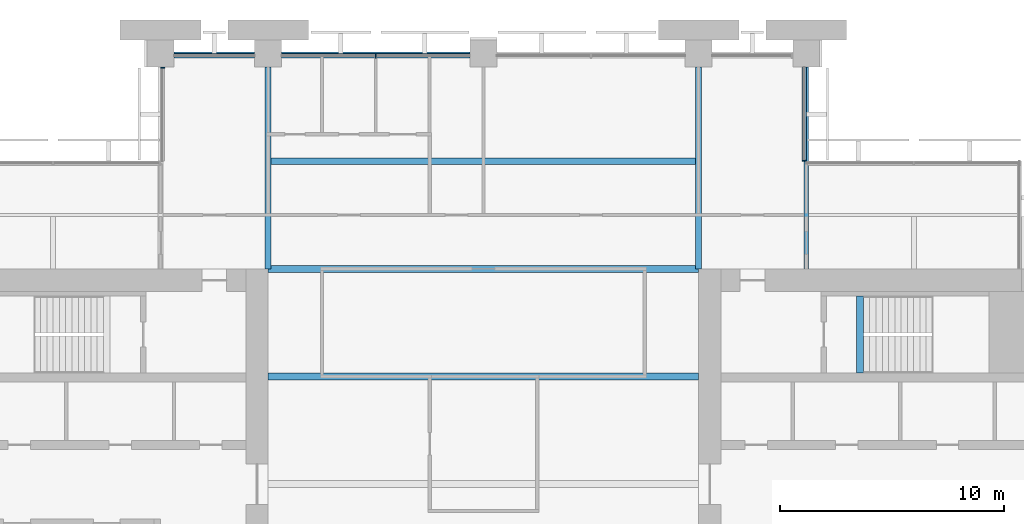
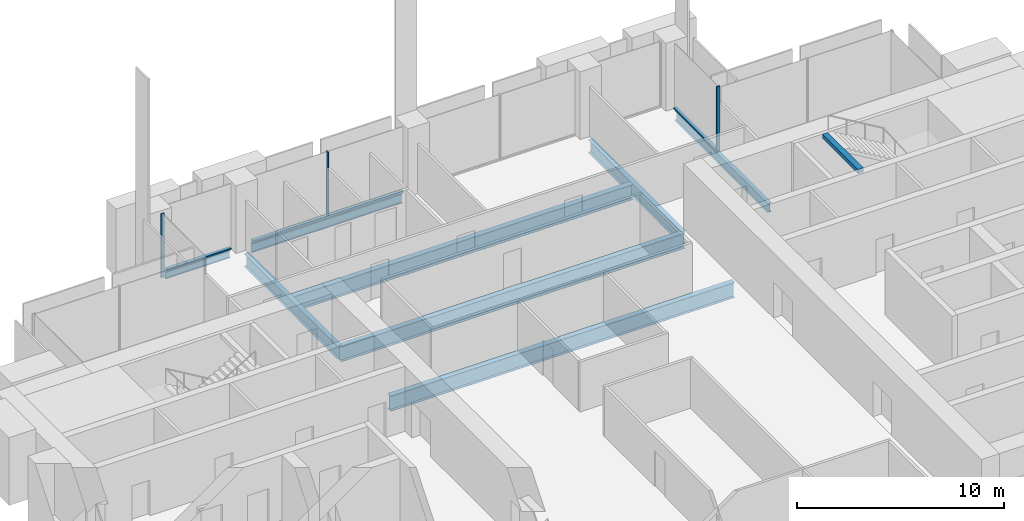
# One storey, part 6 of 14: 9 beams, 6 members, 3 elements without a shape of their own.
"""IFC4 building model written with IfcOpenShell, lengths in metres."""

from ifc_helpers import new_model, si_unit, direction, frame, origin, origin_2d, place, context, subcontext, project, spatial, rectangle, i_section, extrude, material, material_profile, profile_set, type_object, element, aggregate, save


model = new_model("IFC4")

# Units and contexts
model_context = context("Model", 3, precision=1e-05, world=origin(), true_north=direction((0.0, 1.0)))
body_context = subcontext(model_context, "Body", "Model", "MODEL_VIEW")
ifc_project = project(units=[si_unit("LENGTHUNIT", "METRE"), si_unit("AREAUNIT", "SQUARE_METRE"), si_unit("VOLUMEUNIT", "CUBIC_METRE"), si_unit("PLANEANGLEUNIT", "RADIAN"), si_unit("MASSUNIT", "GRAM", prefix="KILO")], contexts=[model_context])

# Site, building, storey
site_placement = place(None, origin())
site = spatial("IfcSite", under=ifc_project, at=site_placement, CompositionType="ELEMENT")
building_placement = place(site_placement, origin())
building = spatial("IfcBuilding", under=site, at=building_placement, Name="Baori Bourse Tower", CompositionType="ELEMENT")
storey_placement = place(building_placement, frame((0.0, 0.0, 132.10009765625)))
storey = spatial("IfcBuildingStorey", under=building, at=storey_placement, Name="L28", CompositionType="ELEMENT", Elevation=132.10009765625)

# Curtain wall, members
ifc_material_1 = material(Name="Pale anodised aluminium", Category="aluminium")
curtain_wall_type_1 = type_object("IfcCurtainWallType", Name="CW1 Curtain wall", PredefinedType="NOTDEFINED", material=ifc_material_1)
curtain_wall_1_placement = place(storey_placement, origin())
curtain_wall_1 = element("IfcCurtainWall", 1, at=curtain_wall_1_placement, inside=storey, type_object=curtain_wall_type_1, Name="Curtain wall CW1 L28 4", PredefinedType="NOTDEFINED")
ifc_material_2 = material(Name="Pale anodised aluminium", Category="aluminium")
ifc_material_profile_1 = material_profile(ifc_material_2, rectangle(XDim=0.199951171875, YDim=0.06005859375, at=origin_2d()), Name="Mullion 60x200")
ifc_profile_set_1 = profile_set([ifc_material_profile_1], Name="Pale anodised aluminium")
member_type_1 = type_object("IfcMemberType", Name="CW1 Curtain wall mullion", PredefinedType="MULLION", material=ifc_profile_set_1)
member_1_placement = place(storey_placement, frame((24.0, 47.89990234375, 0.079833984375), z_axis=(0.0, 0.0, 1.0), x_axis=(0.0, -1.0, 0.0)))
member_1 = element("IfcMember", 2, at=member_1_placement, type_object=member_type_1, Name="Curtain wall CW1 mullion", PredefinedType="MULLION", context=body_context, shape_type="SweptSolid", body=[
    extrude(rectangle(XDim=0.199951171875, YDim=0.06005859375, at=origin_2d()), origin(), (0.0, 0.0, 1.0), 3.760009765625),
])
ifc_material_3 = material(Name="Pale anodised aluminium", Category="aluminium")
ifc_material_profile_2 = material_profile(ifc_material_3, rectangle(XDim=0.199951171875, YDim=0.080078125, at=origin_2d()), Name="Transom 80x200")
ifc_profile_set_2 = profile_set([ifc_material_profile_2], Name="Pale anodised aluminium")
member_type_2 = type_object("IfcMemberType", Name="CW1 Curtain wall transom", PredefinedType="USERDEFINED", material=ifc_profile_set_2)
member_2_placement = place(storey_placement, frame((28.199951171875, 47.89990234375, 0.039794921875), z_axis=(-1.0, 0.0, 0.0), x_axis=(0.0, -1.0, 0.0)))
member_2 = element("IfcMember", 3, at=member_2_placement, type_object=member_type_2, Name="Curtain wall CW1 sill rail", ObjectType="TRANSOM", PredefinedType="USERDEFINED", context=body_context, shape_type="SweptSolid", body=[
    extrude(rectangle(XDim=0.199951171875, YDim=0.080078125, at=origin_2d()), origin(), (0.0, 0.0, 1.0), 8.39990234375),
])
member_3_placement = place(storey_placement, frame((18.60009765625, 47.89990234375, 0.039794921875), z_axis=(-1.0, 0.0, 0.0), x_axis=(0.0, -1.0, 0.0)))
member_3 = element("IfcMember", 4, at=member_3_placement, type_object=member_type_2, Name="Curtain wall CW1 sill rail", ObjectType="TRANSOM", PredefinedType="USERDEFINED", context=body_context, shape_type="SweptSolid", body=[
    extrude(rectangle(XDim=0.199951171875, YDim=0.080078125, at=origin_2d()), origin(), (0.0, 0.0, 1.0), 3.60009765625),
])
aggregate(curtain_wall_1, [member_2, member_1, member_3])

# Curtain wall, member
ifc_material_4 = material(Name="Pale anodised aluminium", Category="aluminium")
curtain_wall_type_2 = type_object("IfcCurtainWallType", Name="CW2 Curtain wall", PredefinedType="NOTDEFINED", material=ifc_material_4)
curtain_wall_2_placement = place(storey_placement, origin())
curtain_wall_2 = element("IfcCurtainWall", 5, at=curtain_wall_2_placement, inside=storey, type_object=curtain_wall_type_2, Name="Curtain wall CW2 L28 3", PredefinedType="NOTDEFINED")
ifc_material_5 = material(Name="Pale anodised aluminium", Category="aluminium")
ifc_material_profile_3 = material_profile(ifc_material_5, rectangle(XDim=0.179931640625, YDim=0.054931640625, at=origin_2d()), Name="Mullion 55x180")
ifc_profile_set_3 = profile_set([ifc_material_profile_3], Name="Pale anodised aluminium")
member_type_3 = type_object("IfcMemberType", Name="CW2 Curtain wall mullion", PredefinedType="MULLION", material=ifc_profile_set_3)
member_4_placement = place(storey_placement, frame((43.110107421875, 43.2275390625, 0.06982421875), z_axis=(0.0, 0.0, 1.0), x_axis=(-1.0, 0.0, 0.0)))
member_4 = element("IfcMember", 6, at=member_4_placement, type_object=member_type_3, Name="Curtain wall CW2 mullion", PredefinedType="MULLION", context=body_context, shape_type="SweptSolid", body=[
    extrude(rectangle(XDim=0.179931640625, YDim=0.054931640625, at=origin_2d()), origin(), (0.0, 0.0, 1.0), 3.77001953125),
])

curtain_wall_3_placement = place(storey_placement, origin())
curtain_wall_3 = element("IfcCurtainWall", 7, at=curtain_wall_3_placement, inside=storey, type_object=curtain_wall_type_2, Name="Curtain wall CW2 L28 5", PredefinedType="NOTDEFINED")
member_5_placement = place(storey_placement, frame((14.489990234375, 47.37255859375, 0.06982421875), z_axis=(0.0, 0.0, 1.0), x_axis=(1.0, 0.0, 0.0)))
member_5 = element("IfcMember", 8, at=member_5_placement, type_object=member_type_3, Name="Curtain wall CW2 mullion", PredefinedType="MULLION", context=body_context, shape_type="SweptSolid", body=[
    extrude(rectangle(XDim=0.179931640625, YDim=0.054931640625, at=origin_2d()), origin(), (0.0, 0.0, 1.0), 3.77001953125),
])
aggregate(curtain_wall_3, [member_5])

# Member
ifc_material_6 = material(Name="Pale anodised aluminium", Category="aluminium")
ifc_material_profile_4 = material_profile(ifc_material_6, rectangle(XDim=0.179931640625, YDim=0.070068359375, at=origin_2d()), Name="Transom 70x180")
ifc_profile_set_4 = profile_set([ifc_material_profile_4], Name="Pale anodised aluminium")
member_type_4 = type_object("IfcMemberType", Name="CW2 Curtain wall transom", PredefinedType="USERDEFINED", material=ifc_profile_set_4)
member_6_placement = place(storey_placement, frame((43.110107421875, 43.199951171875, 0.034912109375), z_axis=(0.0, 1.0, 0.0), x_axis=(-1.0, 0.0, 0.0)))
member_6 = element("IfcMember", 9, at=member_6_placement, type_object=member_type_4, Name="Curtain wall CW2 sill rail", ObjectType="TRANSOM", PredefinedType="USERDEFINED", context=body_context, shape_type="SweptSolid", body=[
    extrude(rectangle(XDim=0.179931640625, YDim=0.070068359375, at=origin_2d()), origin(), (0.0, 0.0, 1.0), 4.199951171875),
])

aggregate(curtain_wall_2, [member_6, member_4])

# Beams
ifc_material_7 = material(Name="Steel A992 Gr 50", Category="steel")
ifc_material_profile_5 = material_profile(ifc_material_7, i_section(OverallWidth=0.140380859375, OverallDepth=0.40380859375, WebThickness=0.007080078125, FlangeThickness=0.01123046875, at=origin_2d()), Name="W16x31")
ifc_profile_set_5 = profile_set([ifc_material_profile_5], Name="Steel A992 Gr 50")
beam_type_1 = type_object("IfcBeamType", Name="Edge beam W16x31", PredefinedType="BEAM", material=ifc_profile_set_5)
beam_1_placement = place(storey_placement, frame((15.0, 48.0, -0.362060546875), z_axis=(1.0, 0.0, 0.0), x_axis=(0.0, 1.0, 0.0)))
element("IfcBeam", 10, at=beam_1_placement, inside=storey, type_object=beam_type_1, Name="Edge beam L28", PredefinedType="BEAM", context=body_context, shape_type="SweptSolid", body=[
    extrude(i_section(OverallWidth=0.140380859375, OverallDepth=0.40380859375, WebThickness=0.007080078125, FlangeThickness=0.01123046875, at=origin_2d()), origin(), (0.0, 0.0, 1.0), 3.60009765625),
])
ifc_material_8 = material(Name="Steel A992 Gr 50", Category="steel")
ifc_material_profile_6 = material_profile(ifc_material_8, i_section(OverallWidth=0.1650390625, OverallDepth=0.52587890625, WebThickness=0.0087890625, FlangeThickness=0.011474609375, at=origin_2d()), Name="W21x44")
ifc_profile_set_6 = profile_set([ifc_material_profile_6], Name="Steel A992 Gr 50")
beam_type_2 = type_object("IfcBeamType", Name="Edge beam W21x44", PredefinedType="BEAM", material=ifc_profile_set_6)
beam_2_placement = place(storey_placement, frame((19.800048828125, 48.0, -0.423095703125), z_axis=(1.0, 0.0, 0.0), x_axis=(0.0, 1.0, 0.0)))
element("IfcBeam", 11, at=beam_2_placement, inside=storey, type_object=beam_type_2, Name="Edge beam L28", PredefinedType="BEAM", context=body_context, shape_type="SweptSolid", body=[
    extrude(i_section(OverallWidth=0.1650390625, OverallDepth=0.52587890625, WebThickness=0.0087890625, FlangeThickness=0.011474609375, at=origin_2d()), origin(), (0.0, 0.0, 1.0), 8.39990234375),
])
ifc_material_9 = material(Name="Steel A992 Gr 50", Category="steel")
ifc_material_profile_7 = material_profile(ifc_material_9, i_section(OverallWidth=0.21240234375, OverallDepth=0.54345703125, WebThickness=0.01318359375, FlangeThickness=0.021240234375, at=origin_2d()), Name="W21x83")
ifc_profile_set_7 = profile_set([ifc_material_profile_7], Name="Steel A992 Gr 50")
beam_type_3 = type_object("IfcBeamType", Name="Floor beam W21x83", PredefinedType="BEAM", material=ifc_profile_set_7)
beam_3_placement = place(storey_placement, frame((43.199951171875, 38.39990234375, -0.431884765625), z_axis=(0.0, 1.0, 0.0), x_axis=(-1.0, 0.0, 0.0)))
element("IfcBeam", 12, at=beam_3_placement, inside=storey, type_object=beam_type_3, Name="Floor beam L28", PredefinedType="BEAM", context=body_context, shape_type="SweptSolid", body=[
    extrude(i_section(OverallWidth=0.21240234375, OverallDepth=0.54345703125, WebThickness=0.01318359375, FlangeThickness=0.021240234375, at=origin_2d()), origin(), (0.0, 0.0, 1.0), 9.0),
])
ifc_material_10 = material(Name="Steel A992 Gr 50", Category="steel")
ifc_material_profile_8 = material_profile(ifc_material_10, i_section(OverallWidth=0.3046875, OverallDepth=0.904296875, WebThickness=0.01513671875, FlangeThickness=0.02001953125, at=origin_2d()), Name="W36x135")
ifc_profile_set_8 = profile_set([ifc_material_profile_8], Name="Steel A992 Gr 50")
beam_type_4 = type_object("IfcBeamType", Name="Floor beam W36x135", PredefinedType="BEAM", material=ifc_profile_set_8)
for number, where, z_axis, x_axis, name in (
    (13, (19.199951171875, 33.60009765625, -0.6123046875), (1.0, 0.0, 0.0), (0.0, 1.0, 0.0), "Floor beam L28"),
    (14, (19.199951171875, 38.39990234375, -0.6123046875), (1.0, 0.0, 0.0), (0.0, 1.0, 0.0), "Floor beam L28"),
):
    element("IfcBeam", number, at=place(storey_placement, frame(where, z_axis=z_axis, x_axis=x_axis)), inside=storey, type_object=beam_type_4, Name=name, PredefinedType="BEAM", context=body_context, shape_type="SweptSolid", body=[
        extrude(i_section(OverallWidth=0.3046875, OverallDepth=0.904296875, WebThickness=0.01513671875, FlangeThickness=0.02001953125, at=origin_2d()), origin(), (0.0, 0.0, 1.0), 19.199951171875),
    ])
beam_4_placement = place(storey_placement, frame((19.33203125, 43.199951171875, -0.6123046875), z_axis=(1.0, 0.0, 0.0), x_axis=(0.0, 1.0, 0.0)))
element("IfcBeam", 15, at=beam_4_placement, inside=storey, type_object=beam_type_4, Name="Floor beam L28", PredefinedType="BEAM", context=body_context, shape_type="SweptSolid", body=[
    extrude(i_section(OverallWidth=0.3046875, OverallDepth=0.904296875, WebThickness=0.01513671875, FlangeThickness=0.02001953125, at=origin_2d()), origin(), (0.0, 0.0, 1.0), 18.935791015625),
])
ifc_material_11 = material(Name="Steel A992 Gr 50", Category="steel")
ifc_material_profile_9 = material_profile(ifc_material_11, i_section(OverallWidth=0.26416015625, OverallDepth=0.749267578125, WebThickness=0.011962890625, FlangeThickness=0.015380859375, at=origin_2d()), Name="W30x90")
ifc_profile_set_9 = profile_set([ifc_material_profile_9], Name="Steel A992 Gr 50")
beam_type_5 = type_object("IfcBeamType", Name="Girder W30x90", PredefinedType="BEAM", material=ifc_profile_set_9)
for number, where, z_axis, x_axis, name in (
    (16, (19.199951171875, 38.39990234375, -0.53466796875), (0.0, 1.0, 0.0), (-1.0, 0.0, 0.0), "Girder L28"),
    (17, (38.39990234375, 38.39990234375, -0.53466796875), (0.0, 1.0, 0.0), (-1.0, 0.0, 0.0), "Girder L28"),
):
    element("IfcBeam", number, at=place(storey_placement, frame(where, z_axis=z_axis, x_axis=x_axis)), inside=storey, type_object=beam_type_5, Name=name, PredefinedType="BEAM", context=body_context, shape_type="SweptSolid", body=[
        extrude(i_section(OverallWidth=0.26416015625, OverallDepth=0.749267578125, WebThickness=0.011962890625, FlangeThickness=0.015380859375, at=origin_2d()), origin(), (0.0, 0.0, 1.0), 9.0),
    ])
ifc_material_12 = material(Name="Concrete f'c 50 MPa", Category="concrete")
ifc_material_profile_10 = material_profile(ifc_material_12, rectangle(XDim=0.300048828125, YDim=0.25, at=origin_2d()), Name="RC 300x250")
ifc_profile_set_10 = profile_set([ifc_material_profile_10], Name="Concrete f'c 50 MPa")
beam_type_6 = type_object("IfcBeamType", Name="Stair nib beam RC 300x250", PredefinedType="BEAM", material=ifc_profile_set_10)
beam_5_placement = place(storey_placement, frame((45.60009765625, 33.75, 3.71484375), z_axis=(0.0, 1.0, 0.0), x_axis=(-1.0, 0.0, 0.0)))
element("IfcBeam", 18, at=beam_5_placement, inside=storey, type_object=beam_type_6, Name="Stair EB nib beam L29", PredefinedType="BEAM", context=body_context, shape_type="SweptSolid", body=[
    extrude(rectangle(XDim=0.300048828125, YDim=0.25, at=origin_2d()), origin(), (0.0, 0.0, 1.0), 3.449951171875),
])

save(model, "model.ifc")
